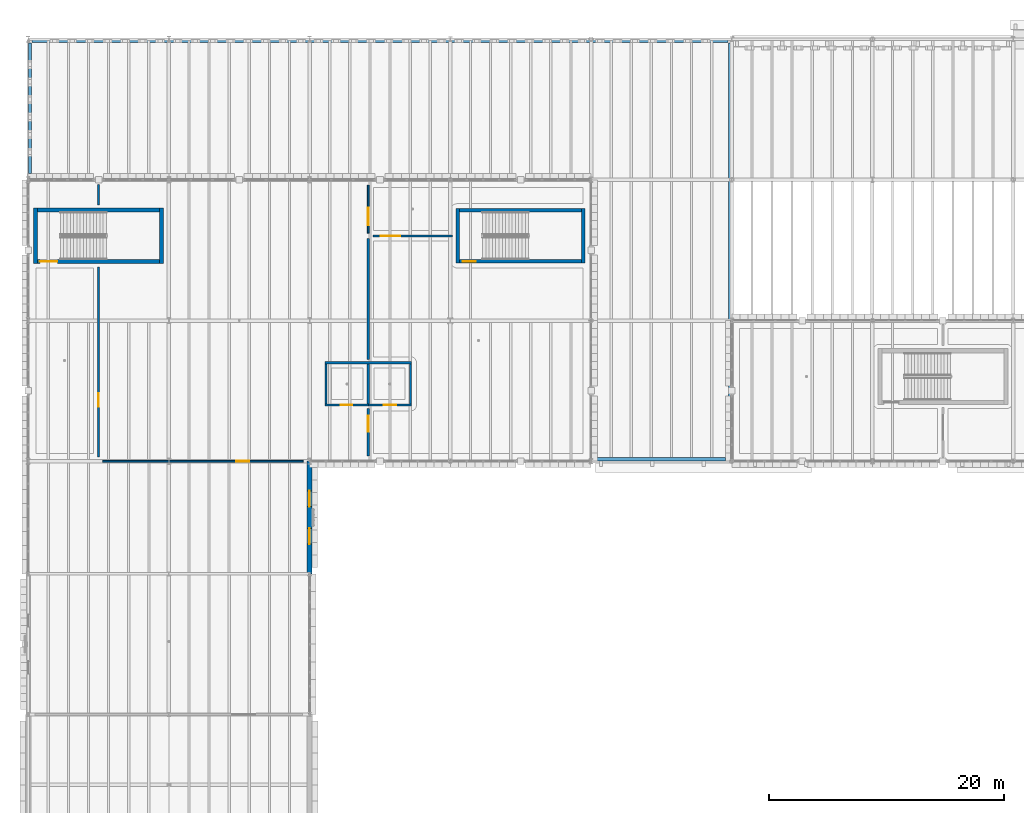
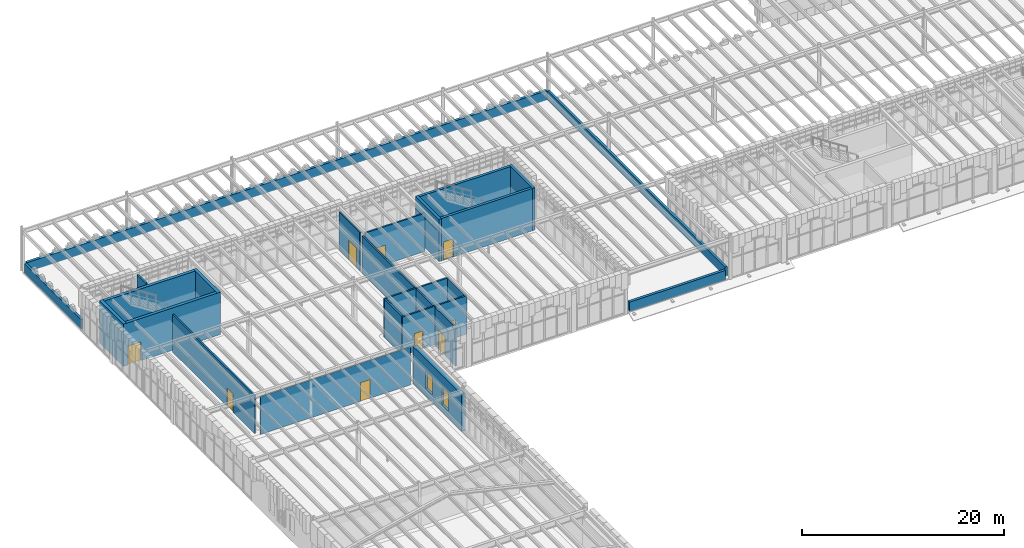
# One storey, part 58 of 100: 26 walls, 9 doors, 2 windows, 11 openings.
"""IFC4 building model written with IfcOpenShell, lengths in metres."""

from ifc_helpers import new_model, si_unit, direction, frame, frame_2d, origin, place, context, subcontext, project, spatial, rectangle, extrude, material, layer, layer_set, type_object, element, fill, save


model = new_model("IFC4")

# Units and contexts
model_context = context("Model", 3, precision=1e-05, world=origin(), true_north=direction((0.0, 1.0)))
body_context = subcontext(model_context, "Body", "Model", "MODEL_VIEW")
ifc_project = project(units=[si_unit("LENGTHUNIT", "METRE"), si_unit("AREAUNIT", "SQUARE_METRE"), si_unit("VOLUMEUNIT", "CUBIC_METRE"), si_unit("PLANEANGLEUNIT", "RADIAN"), si_unit("MASSUNIT", "GRAM", prefix="KILO")], contexts=[model_context])

# Site, building, storey
site_placement = place(None, origin())
site = spatial("IfcSite", under=ifc_project, at=site_placement, CompositionType="ELEMENT")
building_placement = place(site_placement, origin())
building = spatial("IfcBuilding", under=site, at=building_placement, Name="Zlatogorsky Bluff Art Gallery", CompositionType="ELEMENT")
storey_placement = place(building_placement, frame((0.0, 0.0, 5.39990234375)))
storey = spatial("IfcBuildingStorey", under=building, at=storey_placement, Name="L01", CompositionType="ELEMENT", Elevation=5.39990234375)

# Wall, openings, windows
ifc_material_1 = material(Name="Precast concrete C40/50", Category="concrete")
ifc_layer_1 = layer(ifc_material_1, 0.43994140625)
ifc_layer_set_1 = layer_set([ifc_layer_1], Name="Exterior Wall EW-03 440mm")
wall_type_1 = type_object("IfcWallType", Name="Exterior Wall EW-03 440mm", PredefinedType="SOLIDWALL", material=ifc_layer_set_1)
wall_1_placement = place(storey_placement, frame((24.0, 74.39990234375, 0.0), z_axis=(0.0, 0.0, 1.0), x_axis=(0.0, 1.0, 0.0)))
wall_1 = element("IfcWall", 1, at=wall_1_placement, inside=storey, type_object=wall_type_1, Name="Exterior wall EW-03 L01 E 1.7", PredefinedType="SOLIDWALL", context=body_context, shape_type="SweptSolid", body=[
    extrude(rectangle(XDim=9.60009765625, YDim=0.43994140625, at=frame_2d((4.800048828125, 0.0))), origin(), (0.0, 0.0, 1.0), 4.47998046875),
])
opening_1_placement = place(wall_1_placement, frame((2.52490234375, 0.0, 0.949951171875)))
opening_1 = element("IfcOpeningElement", 2, at=opening_1_placement, cuts=wall_1, Name="Opening WN-28", PredefinedType="OPENING", context=body_context, shape_type="SweptSolid", body=[
    extrude(rectangle(XDim=1.35009765625, YDim=2.10009765625, at=frame_2d((0.675048828125, 1.050048828125))), frame((0.0, 0.22998046875, 0.0), z_axis=(0.0, -1.0, 0.0), x_axis=(1.0, 0.0, 0.0)), (0.0, 0.0, 1.0), 0.4599609375),
])
opening_2_placement = place(wall_1_placement, frame((5.72509765625, 0.0, 0.949951171875)))
opening_2 = element("IfcOpeningElement", 3, at=opening_2_placement, cuts=wall_1, Name="Opening WN-28", PredefinedType="OPENING", context=body_context, shape_type="SweptSolid", body=[
    extrude(rectangle(XDim=1.35009765625, YDim=2.10009765625, at=frame_2d((0.675048828125, 1.050048828125))), frame((0.0, 0.22998046875, 0.0), z_axis=(0.0, -1.0, 0.0), x_axis=(1.0, 0.0, 0.0)), (0.0, 0.0, 1.0), 0.4599609375),
])
ifc_material_2 = material(Name="Bronze-Anodised Aluminium Triple Glazing", Category="aluminium")
window_type = type_object("IfcWindowType", Name="Pointed-Reveal Window WN-28 1350x2100", PartitioningType="SINGLE_PANEL", PredefinedType="WINDOW", material=ifc_material_2)
window_1_placement = place(opening_1_placement, origin())
window_1 = element("IfcWindow", 4, at=window_1_placement, inside=storey, type_object=window_type, Name="Window WN-28 L01.E.1.7.1", OverallHeight=2.10009765625, OverallWidth=1.35009765625, PartitioningType="SINGLE_PANEL", PredefinedType="WINDOW", context=body_context, shape_type="SweptSolid", body=[
    extrude(rectangle(XDim=1.35009765625, YDim=2.10009765625, at=frame_2d((0.675048828125, 1.050048828125))), frame((0.0, 0.030029296875, 0.0), z_axis=(0.0, -1.0, 0.0), x_axis=(1.0, 0.0, 0.0)), (0.0, 0.0, 1.0), 0.06005859375),
])
fill(opening_1, window_1)
window_2_placement = place(opening_2_placement, origin())
window_2 = element("IfcWindow", 5, at=window_2_placement, inside=storey, type_object=window_type, Name="Window WN-28 L01.E.1.7.2", OverallHeight=2.10009765625, OverallWidth=1.35009765625, PartitioningType="SINGLE_PANEL", PredefinedType="WINDOW", context=body_context, shape_type="SweptSolid", body=[
    extrude(rectangle(XDim=1.35009765625, YDim=2.10009765625, at=frame_2d((0.675048828125, 1.050048828125))), frame((0.0, 0.030029296875, 0.0), z_axis=(0.0, -1.0, 0.0), x_axis=(1.0, 0.0, 0.0)), (0.0, 0.0, 1.0), 0.06005859375),
])
fill(opening_2, window_2)

# Walls
ifc_layer_2 = layer(ifc_material_1, 0.260009765625)
ifc_layer_set_2 = layer_set([ifc_layer_2], Name="Exterior Wall PR-W1 260mm")
wall_type_2 = type_object("IfcWallType", Name="Exterior Wall PR-W1 260mm", PredefinedType="PARAPET", material=ifc_layer_set_2)
wall_2_placement = place(storey_placement, frame((0.159912109375, 108.52001953125, 0.0), z_axis=(0.0, 0.0, 1.0), x_axis=(0.0, 1.0, 0.0)))
element("IfcWall", 6, at=wall_2_placement, inside=storey, type_object=wall_type_2, Name="Sandstone roof parapet ROOF-FLAT-L01-01.3", PredefinedType="PARAPET", context=body_context, shape_type="SweptSolid", body=[
    extrude(rectangle(XDim=11.159912109375, YDim=0.260009765625, at=frame_2d((5.580078125, 0.0))), origin(), (0.0, 0.0, 1.0), 1.150146484375),
])
wall_3_placement = place(storey_placement, frame((59.840087890625, 119.679931640625, 0.0), z_axis=(0.0, 0.0, 1.0), x_axis=(0.0, -1.0, 0.0)))
element("IfcWall", 7, at=wall_3_placement, inside=storey, type_object=wall_type_2, Name="Sandstone roof parapet ROOF-FLAT-L01-01.5", PredefinedType="PARAPET", context=body_context, shape_type="SweptSolid", body=[
    extrude(rectangle(XDim=35.159912109375, YDim=0.260009765625, at=frame_2d((17.580078125, 0.0))), origin(), (0.0, 0.0, 1.0), 1.150146484375),
])
ifc_layer_3 = layer(ifc_material_1, 0.300048828125)
ifc_layer_set_3 = layer_set([ifc_layer_3], Name="Exterior Wall PR-W2 300mm")
wall_type_3 = type_object("IfcWallType", Name="Exterior Wall PR-W2 300mm", PredefinedType="PARAPET", material=ifc_layer_set_3)
wall_4_placement = place(storey_placement, frame((0.320068359375, 119.840087890625, 0.0), z_axis=(0.0, 0.0, 1.0), x_axis=(1.0, 0.0, 0.0)))
element("IfcWall", 8, at=wall_4_placement, inside=storey, type_object=wall_type_3, Name="Sandstone roof parapet ROOF-FLAT-L01-01.4", PredefinedType="PARAPET", context=body_context, shape_type="SweptSolid", body=[
    extrude(rectangle(XDim=59.35986328125, YDim=0.300048828125, at=frame_2d((29.679931640625, 0.0))), origin(), (0.0, 0.0, 1.0), 1.150146484375),
])
wall_5_placement = place(storey_placement, frame((59.47998046875, 84.159912109375, 0.0), z_axis=(0.0, 0.0, 1.0), x_axis=(-1.0, 0.0, 0.0)))
element("IfcWall", 9, at=wall_5_placement, inside=storey, type_object=wall_type_3, Name="Sandstone roof parapet ROOF-FLAT-L01-01.6", PredefinedType="PARAPET", context=body_context, shape_type="SweptSolid", body=[
    extrude(rectangle(XDim=10.9599609375, YDim=0.300048828125, at=frame_2d((5.47998046875, 0.0))), origin(), (0.0, 0.0, 1.0), 1.150146484375),
])

# Wall, opening, door
ifc_material_3 = material(Name="Concrete C30/37", Category="concrete")
ifc_layer_4 = layer(ifc_material_3, 0.14990234375)
ifc_layer_set_4 = layer_set([ifc_layer_4], Name="Interior Wall IW-01 150mm")
wall_type_4 = type_object("IfcWallType", Name="Interior Wall IW-01 150mm", PredefinedType="PARTITIONING", material=ifc_layer_set_4)
wall_6_placement = place(storey_placement, frame((6.33740234375, 84.0, 0.0), z_axis=(0.0, 0.0, 1.0), x_axis=(1.0, 0.0, 0.0)))
wall_6 = element("IfcWall", 10, at=wall_6_placement, inside=storey, type_object=wall_type_4, Name="Partition IW-01 between L01-E1 and L01-E2-12", PredefinedType="PARTITIONING", context=body_context, shape_type="SweptSolid", body=[
    extrude(rectangle(XDim=17.105224609375, YDim=0.14990234375, at=frame_2d((8.552734375, 0.0))), origin(), (0.0, 0.0, 1.0), 4.550048828125),
])
opening_3_placement = place(wall_6_placement, frame((11.424072265625, 0.0, 0.0)))
opening_3 = element("IfcOpeningElement", 11, at=opening_3_placement, cuts=wall_6, Name="Opening ID-05", PredefinedType="OPENING", context=body_context, shape_type="SweptSolid", body=[
    extrude(rectangle(XDim=1.10009765625, YDim=2.25, at=frame_2d((0.550048828125, 1.125))), frame((0.0, 0.0849609375, 0.0), z_axis=(0.0, -1.0, 0.0), x_axis=(1.0, 0.0, 0.0)), (0.0, 0.0, 1.0), 0.169921875),
])
ifc_material_4 = material(Name="Anodised Aluminium and Laminated Timber", Category="wood")
door_type_1 = type_object("IfcDoorType", Name="Interior Door ID-05 1100x2250", OperationType="SINGLE_SWING_LEFT", PredefinedType="DOOR", material=ifc_material_4)
door_1_placement = place(opening_3_placement, origin())
door_1 = element("IfcDoor", 12, at=door_1_placement, inside=storey, type_object=door_type_1, Name="Door ID-05 L01-E1-L01-E2-12", OperationType="SINGLE_SWING_LEFT", OverallHeight=2.25, OverallWidth=1.10009765625, PredefinedType="DOOR", context=body_context, shape_type="SweptSolid", body=[
    extrude(rectangle(XDim=1.10009765625, YDim=2.25, at=frame_2d((0.550048828125, 1.125))), frame((0.0, 0.02490234375, 0.0), z_axis=(0.0, -1.0, 0.0), x_axis=(1.0, 0.0, 0.0)), (0.0, 0.0, 1.0), 0.050048828125),
])
fill(opening_3, door_1)

wall_7_placement = place(storey_placement, frame((29.0, 103.4560546875, 0.0), z_axis=(0.0, 0.0, 1.0), x_axis=(0.0, 1.0, 0.0)))
wall_7 = element("IfcWall", 13, at=wall_7_placement, inside=storey, type_object=wall_type_4, Name="Partition IW-01 between L01-E2-12 and L01-E2-14", PredefinedType="PARTITIONING", context=body_context, shape_type="SweptSolid", body=[
    extrude(rectangle(XDim=4.093994140625, YDim=0.14990234375, at=frame_2d((2.046875, 0.0))), origin(), (0.0, 0.0, 1.0), 4.64013671875),
])
opening_4_placement = place(wall_7_placement, frame((0.64990234375, 0.0, 0.0)))
opening_4 = element("IfcOpeningElement", 14, at=opening_4_placement, cuts=wall_7, Name="Opening ID-09", PredefinedType="OPENING", context=body_context, shape_type="SweptSolid", body=[
    extrude(rectangle(XDim=1.5, YDim=2.35009765625, at=frame_2d((0.75, 1.175048828125))), frame((0.0, 0.0849609375, 0.0), z_axis=(0.0, -1.0, 0.0), x_axis=(1.0, 0.0, 0.0)), (0.0, 0.0, 1.0), 0.169921875),
])
door_type_2 = type_object("IfcDoorType", Name="Interior Door ID-09 1500x2350", OperationType="DOUBLE_DOOR_SINGLE_SWING", PredefinedType="DOOR", material=ifc_material_4)
door_2_placement = place(opening_4_placement, origin())
door_2 = element("IfcDoor", 15, at=door_2_placement, inside=storey, type_object=door_type_2, Name="Door ID-09 L01-E2-12-L01-E2-14", OperationType="DOUBLE_DOOR_SINGLE_SWING", OverallHeight=2.35009765625, OverallWidth=1.5, PredefinedType="DOOR", context=body_context, shape_type="SweptSolid", body=[
    extrude(rectangle(XDim=1.5, YDim=2.35009765625, at=frame_2d((0.75, 1.175048828125))), frame((0.0, 0.02490234375, 0.0), z_axis=(0.0, -1.0, 0.0), x_axis=(1.0, 0.0, 0.0)), (0.0, 0.0, 1.0), 0.050048828125),
])
fill(opening_4, door_2)

# Wall
ifc_layer_5 = layer(ifc_material_3, 0.179931640625)
ifc_layer_set_5 = layer_set([ifc_layer_5], Name="Interior Wall IW-02 180mm")
wall_type_5 = type_object("IfcWallType", Name="Interior Wall IW-02 180mm", PredefinedType="PARTITIONING", material=ifc_layer_set_5)
wall_8_placement = place(storey_placement, frame((25.31005859375, 92.39990234375, 0.0), z_axis=(0.0, 0.0, 1.0), x_axis=(1.0, 0.0, 0.0)))
element("IfcWall", 16, at=wall_8_placement, inside=storey, type_object=wall_type_5, Name="Restroom enclosure partition IW-L01-WC-N", PredefinedType="PARTITIONING", context=body_context, shape_type="SweptSolid", body=[
    extrude(rectangle(XDim=7.3798828125, YDim=0.179931640625, at=frame_2d((3.68994140625, 0.0))), origin(), (0.0, 0.0, 1.0), 4.64013671875),
])

# Wall, opening, door
wall_9_placement = place(storey_placement, frame((25.31005859375, 88.800048828125, 0.0), z_axis=(0.0, 0.0, 1.0), x_axis=(1.0, 0.0, 0.0)))
wall_9 = element("IfcWall", 17, at=wall_9_placement, inside=storey, type_object=wall_type_5, Name="Restroom enclosure partition IW-L01-WC-S1", PredefinedType="PARTITIONING", context=body_context, shape_type="SweptSolid", body=[
    extrude(rectangle(XDim=3.68994140625, YDim=0.179931640625, at=frame_2d((1.844970703125, 0.0))), origin(), (0.0, 0.0, 1.0), 4.64013671875),
])
opening_5_placement = place(wall_9_placement, frame((1.364990234375, 0.0, 0.0)))
opening_5 = element("IfcOpeningElement", 18, at=opening_5_placement, cuts=wall_9, Name="Opening ID-02", PredefinedType="OPENING", context=body_context, shape_type="SweptSolid", body=[
    extrude(rectangle(XDim=0.9599609375, YDim=2.14990234375, at=frame_2d((0.47998046875, 1.074951171875))), frame((0.0, 0.099853515625, 0.0), z_axis=(0.0, -1.0, 0.0), x_axis=(1.0, 0.0, 0.0)), (0.0, 0.0, 1.0), 0.199951171875),
])
door_type_3 = type_object("IfcDoorType", Name="Interior Door ID-02 960x2150", OperationType="SINGLE_SWING_LEFT", PredefinedType="DOOR", material=ifc_material_4)
door_3_placement = place(opening_5_placement, origin())
door_3 = element("IfcDoor", 19, at=door_3_placement, inside=storey, type_object=door_type_3, Name="Door ID-02 L01-WC", OperationType="SINGLE_SWING_LEFT", OverallHeight=2.14990234375, OverallWidth=0.9599609375, PredefinedType="DOOR", context=body_context, shape_type="SweptSolid", body=[
    extrude(rectangle(XDim=0.9599609375, YDim=2.14990234375, at=frame_2d((0.47998046875, 1.074951171875))), frame((0.0, 0.02490234375, 0.0), z_axis=(0.0, -1.0, 0.0), x_axis=(1.0, 0.0, 0.0)), (0.0, 0.0, 1.0), 0.050048828125),
])
fill(opening_5, door_3)

wall_10_placement = place(storey_placement, frame((29.0, 88.800048828125, 0.0), z_axis=(0.0, 0.0, 1.0), x_axis=(1.0, 0.0, 0.0)))
wall_10 = element("IfcWall", 20, at=wall_10_placement, inside=storey, type_object=wall_type_5, Name="Restroom enclosure partition IW-L01-WC-S2", PredefinedType="PARTITIONING", context=body_context, shape_type="SweptSolid", body=[
    extrude(rectangle(XDim=3.68994140625, YDim=0.179931640625, at=frame_2d((1.844970703125, 0.0))), origin(), (0.0, 0.0, 1.0), 4.64013671875),
])
opening_6_placement = place(wall_10_placement, frame((1.320068359375, 0.0, 0.0)))
opening_6 = element("IfcOpeningElement", 21, at=opening_6_placement, cuts=wall_10, Name="Opening ID-04", PredefinedType="OPENING", context=body_context, shape_type="SweptSolid", body=[
    extrude(rectangle(XDim=1.050048828125, YDim=2.199951171875, at=frame_2d((0.52490234375, 1.10009765625))), frame((0.0, 0.099853515625, 0.0), z_axis=(0.0, -1.0, 0.0), x_axis=(1.0, 0.0, 0.0)), (0.0, 0.0, 1.0), 0.199951171875),
])
door_type_4 = type_object("IfcDoorType", Name="Interior Door ID-04 1050x2200", OperationType="SINGLE_SWING_LEFT", PredefinedType="DOOR", material=ifc_material_4)
door_4_placement = place(opening_6_placement, origin())
door_4 = element("IfcDoor", 22, at=door_4_placement, inside=storey, type_object=door_type_4, Name="Door ID-04 L01-AWC", OperationType="SINGLE_SWING_RIGHT", OverallHeight=2.199951171875, OverallWidth=1.050048828125, PredefinedType="DOOR", context=body_context, shape_type="SweptSolid", body=[
    extrude(rectangle(XDim=1.050048828125, YDim=2.199951171875, at=frame_2d((0.52490234375, 1.10009765625))), frame((0.0, 0.02490234375, 0.0), z_axis=(0.0, -1.0, 0.0), x_axis=(1.0, 0.0, 0.0)), (0.0, 0.0, 1.0), 0.050048828125),
])
fill(opening_6, door_4)

# Walls
for number, where, z_axis, x_axis, name in (
    (23, (25.39990234375, 88.89990234375, 0.0), (0.0, 0.0, 1.0), (0.0, 1.0, 0.0), "Restroom enclosure partition IW-L01-WC-W"),
    (24, (32.60009765625, 88.89990234375, 0.0), (0.0, 0.0, 1.0), (0.0, 1.0, 0.0), "Restroom enclosure partition IW-L01-WC-E"),
    (25, (29.0, 88.89990234375, 0.0), (0.0, 0.0, 1.0), (0.0, 1.0, 0.0), "Restroom enclosure partition IW-L01-WC-M"),
):
    element("IfcWall", number, at=place(storey_placement, frame(where, z_axis=z_axis, x_axis=x_axis)), inside=storey, type_object=wall_type_5, Name=name, PredefinedType="PARTITIONING", context=body_context, shape_type="SweptSolid", body=[
        extrude(rectangle(XDim=3.400146484375, YDim=0.179931640625, at=frame_2d((1.7001953125, 0.0))), origin(), (0.0, 0.0, 1.0), 4.64013671875),
    ])

# Wall, opening, door
wall_11_placement = place(storey_placement, frame((6.0, 84.3798828125, 0.0), z_axis=(0.0, 0.0, 1.0), x_axis=(0.0, 1.0, 0.0)))
wall_11 = element("IfcWall", 26, at=wall_11_placement, inside=storey, type_object=wall_type_5, Name="Partition IW-02 between L01-E2-11 and L01-E2-12-S1", PredefinedType="PARTITIONING", context=body_context, shape_type="SweptSolid", body=[
    extrude(rectangle(XDim=16.2001953125, YDim=0.179931640625, at=frame_2d((8.10009765625, 0.0))), origin(), (0.0, 0.0, 1.0), 4.550048828125),
])
opening_7_placement = place(wall_11_placement, frame((4.284912109375, 0.0, 0.0)))
opening_7 = element("IfcOpeningElement", 27, at=opening_7_placement, cuts=wall_11, Name="Opening ID-06", PredefinedType="OPENING", context=body_context, shape_type="SweptSolid", body=[
    extrude(rectangle(XDim=1.14990234375, YDim=2.25, at=frame_2d((0.574951171875, 1.125))), frame((0.0, 0.099853515625, 0.0), z_axis=(0.0, -1.0, 0.0), x_axis=(1.0, 0.0, 0.0)), (0.0, 0.0, 1.0), 0.199951171875),
])
door_type_5 = type_object("IfcDoorType", Name="Interior Door ID-06 1150x2250", OperationType="SINGLE_SWING_LEFT", PredefinedType="DOOR", material=ifc_material_4)
door_5_placement = place(opening_7_placement, origin())
door_5 = element("IfcDoor", 28, at=door_5_placement, inside=storey, type_object=door_type_5, Name="Door ID-06 L01-E2-11-L01-E2-12-S1", OperationType="SINGLE_SWING_RIGHT", OverallHeight=2.25, OverallWidth=1.14990234375, PredefinedType="DOOR", context=body_context, shape_type="SweptSolid", body=[
    extrude(rectangle(XDim=1.14990234375, YDim=2.25, at=frame_2d((0.574951171875, 1.125))), frame((0.0, 0.02490234375, 0.0), z_axis=(0.0, -1.0, 0.0), x_axis=(1.0, 0.0, 0.0)), (0.0, 0.0, 1.0), 0.050048828125),
])
fill(opening_7, door_5)

# Wall
wall_12_placement = place(storey_placement, frame((6.0, 105.8701171875, 0.0), z_axis=(0.0, 0.0, 1.0), x_axis=(0.0, 1.0, 0.0)))
element("IfcWall", 29, at=wall_12_placement, inside=storey, type_object=wall_type_5, Name="Partition IW-02 between L01-E2-11 and L01-E2-12-S2", PredefinedType="PARTITIONING", context=body_context, shape_type="SweptSolid", body=[
    extrude(rectangle(XDim=1.75, YDim=0.179931640625, at=frame_2d((0.875, 0.0))), origin(), (0.0, 0.0, 1.0), 5.090087890625),
])

# Wall, opening, door
wall_13_placement = place(storey_placement, frame((29.0, 84.449951171875, 0.0), z_axis=(0.0, 0.0, 1.0), x_axis=(0.0, 1.0, 0.0)))
wall_13 = element("IfcWall", 30, at=wall_13_placement, inside=storey, type_object=wall_type_5, Name="Partition IW-02 between L01-E2-12 and L01-E2-13-S1", PredefinedType="PARTITIONING", context=body_context, shape_type="SweptSolid", body=[
    extrude(rectangle(XDim=4.069091796875, YDim=0.179931640625, at=frame_2d((2.03466796875, 0.0))), origin(), (0.0, 0.0, 1.0), 4.64013671875),
])
opening_8_placement = place(wall_13_placement, frame((2.069091796875, 0.0, 0.0)))
opening_8 = element("IfcOpeningElement", 31, at=opening_8_placement, cuts=wall_13, Name="Opening ID-08", PredefinedType="OPENING", context=body_context, shape_type="SweptSolid", body=[
    extrude(rectangle(XDim=1.35009765625, YDim=2.300048828125, at=frame_2d((0.675048828125, 1.14990234375))), frame((0.0, 0.099853515625, 0.0), z_axis=(0.0, -1.0, 0.0), x_axis=(1.0, 0.0, 0.0)), (0.0, 0.0, 1.0), 0.199951171875),
])
door_type_6 = type_object("IfcDoorType", Name="Interior Door ID-08 1350x2300", OperationType="DOUBLE_SWING_LEFT", PredefinedType="DOOR", material=ifc_material_4)
door_6_placement = place(opening_8_placement, origin())
door_6 = element("IfcDoor", 32, at=door_6_placement, inside=storey, type_object=door_type_6, Name="Door ID-08 L01-E2-12-L01-E2-13-S1", OperationType="DOUBLE_SWING_LEFT", OverallHeight=2.300048828125, OverallWidth=1.35009765625, PredefinedType="DOOR", context=body_context, shape_type="SweptSolid", body=[
    extrude(rectangle(XDim=1.35009765625, YDim=2.300048828125, at=frame_2d((0.675048828125, 1.14990234375))), frame((0.0, 0.02490234375, 0.0), z_axis=(0.0, -1.0, 0.0), x_axis=(1.0, 0.0, 0.0)), (0.0, 0.0, 1.0), 0.050048828125),
])
fill(opening_8, door_6)

# Wall
wall_14_placement = place(storey_placement, frame((29.0, 92.680908203125, 0.0), z_axis=(0.0, 0.0, 1.0), x_axis=(0.0, 1.0, 0.0)))
element("IfcWall", 33, at=wall_14_placement, inside=storey, type_object=wall_type_5, Name="Partition IW-02 between L01-E2-12 and L01-E2-13-S2", PredefinedType="PARTITIONING", context=body_context, shape_type="SweptSolid", body=[
    extrude(rectangle(XDim=10.31298828125, YDim=0.179931640625, at=frame_2d((5.156494140625, 0.0))), origin(), (0.0, 0.0, 1.0), 4.550048828125),
])

# Wall, opening, door
wall_15_placement = place(storey_placement, frame((29.419921875, 103.22509765625, 0.0), z_axis=(0.0, 0.0, 1.0), x_axis=(1.0, 0.0, 0.0)))
wall_15 = element("IfcWall", 34, at=wall_15_placement, inside=storey, type_object=wall_type_5, Name="Partition IW-02 between L01-E2-13 and L01-E2-14", PredefinedType="PARTITIONING", context=body_context, shape_type="SweptSolid", body=[
    extrude(rectangle(XDim=6.760009765625, YDim=0.179931640625, at=frame_2d((3.3798828125, 0.0))), origin(), (0.0, 0.0, 1.0), 4.60009765625),
])
opening_9_placement = place(wall_15_placement, frame((0.64990234375, 0.0, 0.0)))
opening_9 = element("IfcOpeningElement", 35, at=opening_9_placement, cuts=wall_15, Name="Opening ID-10", PredefinedType="OPENING", context=body_context, shape_type="SweptSolid", body=[
    extrude(rectangle(XDim=1.64990234375, YDim=2.35009765625, at=frame_2d((0.824951171875, 1.175048828125))), frame((0.0, 0.099853515625, 0.0), z_axis=(0.0, -1.0, 0.0), x_axis=(1.0, 0.0, 0.0)), (0.0, 0.0, 1.0), 0.199951171875),
])
door_type_7 = type_object("IfcDoorType", Name="Interior Door ID-10 1650x2350", OperationType="DOUBLE_DOOR_SINGLE_SWING", PredefinedType="DOOR", material=ifc_material_4)
door_7_placement = place(opening_9_placement, origin())
door_7 = element("IfcDoor", 36, at=door_7_placement, inside=storey, type_object=door_type_7, Name="Door ID-10 L01-E2-13-L01-E2-14", OperationType="DOUBLE_DOOR_SINGLE_SWING", OverallHeight=2.35009765625, OverallWidth=1.64990234375, PredefinedType="DOOR", context=body_context, shape_type="SweptSolid", body=[
    extrude(rectangle(XDim=1.64990234375, YDim=2.35009765625, at=frame_2d((0.824951171875, 1.175048828125))), frame((0.0, 0.02490234375, 0.0), z_axis=(0.0, -1.0, 0.0), x_axis=(1.0, 0.0, 0.0)), (0.0, 0.0, 1.0), 0.050048828125),
])
fill(opening_9, door_7)

ifc_material_5 = material(Name="Concrete C35/45", Category="concrete")
ifc_layer_6 = layer(ifc_material_5, 0.300048828125)
ifc_layer_set_6 = layer_set([ifc_layer_6], Name="Interior Wall SW-01 300mm")
wall_type_6 = type_object("IfcWallType", Name="Interior Wall SW-01 300mm", PredefinedType="SHEAR", material=ifc_layer_set_6)
wall_16_placement = place(storey_placement, frame((36.5, 101.050048828125, 0.0), z_axis=(0.0, 0.0, 1.0), x_axis=(1.0, 0.0, 0.0)))
wall_16 = element("IfcWall", 37, at=wall_16_placement, inside=storey, type_object=wall_type_6, Name="Stair ST-07 enclosure wall L01 W0", PredefinedType="SHEAR", context=body_context, shape_type="SweptSolid", body=[
    extrude(rectangle(XDim=11.0, YDim=0.300048828125, at=frame_2d((5.5, 0.0))), origin(), (0.0, 0.0, 1.0), 5.110107421875),
])
opening_10_placement = place(wall_16_placement, frame((0.550048828125, 0.0, 0.0)))
opening_10 = element("IfcOpeningElement", 38, at=opening_10_placement, cuts=wall_16, Name="Opening FD-01", PredefinedType="OPENING", context=body_context, shape_type="SweptSolid", body=[
    extrude(rectangle(XDim=1.1201171875, YDim=2.199951171875, at=frame_2d((0.56005859375, 1.10009765625))), frame((0.0, 0.159912109375, 0.0), z_axis=(0.0, -1.0, 0.0), x_axis=(1.0, 0.0, 0.0)), (0.0, 0.0, 1.0), 0.320068359375),
])
door_type_8 = type_object("IfcDoorType", Name="Interior Door FD-01 1120x2200", OperationType="SINGLE_SWING_LEFT", PredefinedType="DOOR", material=ifc_material_4)
door_8_placement = place(opening_10_placement, origin())
door_8 = element("IfcDoor", 39, at=door_8_placement, inside=storey, type_object=door_type_8, Name="Stair ST-07 fire door L01", OperationType="SINGLE_SWING_RIGHT", OverallHeight=2.199951171875, OverallWidth=1.1201171875, PredefinedType="DOOR", context=body_context, shape_type="SweptSolid", body=[
    extrude(rectangle(XDim=1.1201171875, YDim=2.199951171875, at=frame_2d((0.56005859375, 1.10009765625))), frame((0.0, 0.02490234375, 0.0), z_axis=(0.0, -1.0, 0.0), x_axis=(1.0, 0.0, 0.0)), (0.0, 0.0, 1.0), 0.050048828125),
])
fill(opening_10, door_8)

# Walls
wall_17_placement = place(storey_placement, frame((47.35009765625, 100.89990234375, 0.0), z_axis=(0.0, 0.0, 1.0), x_axis=(0.0, 1.0, 0.0)))
element("IfcWall", 40, at=wall_17_placement, inside=storey, type_object=wall_type_6, Name="Stair ST-07 enclosure wall L01 FEND", PredefinedType="SHEAR", context=body_context, shape_type="SweptSolid", body=[
    extrude(rectangle(XDim=4.650146484375, YDim=0.300048828125, at=frame_2d((2.3251953125, 0.0))), origin(), (0.0, 0.0, 1.0), 5.110107421875),
])
wall_18_placement = place(storey_placement, frame((47.5, 105.39990234375, 0.0), z_axis=(0.0, 0.0, 1.0), x_axis=(-1.0, 0.0, 0.0)))
element("IfcWall", 41, at=wall_18_placement, inside=storey, type_object=wall_type_6, Name="Stair ST-07 enclosure wall L01 W1", PredefinedType="SHEAR", context=body_context, shape_type="SweptSolid", body=[
    extrude(rectangle(XDim=11.0, YDim=0.300048828125, at=frame_2d((5.5, 0.0))), origin(), (0.0, 0.0, 1.0), 5.110107421875),
])
wall_19_placement = place(storey_placement, frame((36.64990234375, 105.550048828125, 0.0), z_axis=(0.0, 0.0, 1.0), x_axis=(0.0, -1.0, 0.0)))
element("IfcWall", 42, at=wall_19_placement, inside=storey, type_object=wall_type_6, Name="Stair ST-07 enclosure wall L01 LEND", PredefinedType="SHEAR", context=body_context, shape_type="SweptSolid", body=[
    extrude(rectangle(XDim=4.650146484375, YDim=0.300048828125, at=frame_2d((2.3251953125, 0.0))), origin(), (0.0, 0.0, 1.0), 5.110107421875),
])

# Wall, opening, door
ifc_layer_7 = layer(ifc_material_5, 0.35009765625)
ifc_layer_set_7 = layer_set([ifc_layer_7], Name="Interior Wall SW-02 350mm")
wall_type_7 = type_object("IfcWallType", Name="Interior Wall SW-02 350mm", PredefinedType="SHEAR", material=ifc_layer_set_7)
wall_20_placement = place(storey_placement, frame((0.449951171875, 101.02490234375, 0.0), z_axis=(0.0, 0.0, 1.0), x_axis=(1.0, 0.0, 0.0)))
wall_20 = element("IfcWall", 43, at=wall_20_placement, inside=storey, type_object=wall_type_7, Name="Stair ST-05 enclosure wall L01 W0", PredefinedType="SHEAR", context=body_context, shape_type="SweptSolid", body=[
    extrude(rectangle(XDim=11.10009765625, YDim=0.35009765625, at=frame_2d((5.550048828125, 0.0))), origin(), (0.0, 0.0, 1.0), 5.110107421875),
])
opening_11_placement = place(wall_20_placement, frame((0.550048828125, 0.0, 0.0)))
opening_11 = element("IfcOpeningElement", 44, at=opening_11_placement, cuts=wall_20, Name="Opening FD-03", PredefinedType="OPENING", context=body_context, shape_type="SweptSolid", body=[
    extrude(rectangle(XDim=1.47998046875, YDim=2.300048828125, at=frame_2d((0.739990234375, 1.14990234375))), frame((0.0, 0.18505859375, 0.0), z_axis=(0.0, -1.0, 0.0), x_axis=(1.0, 0.0, 0.0)), (0.0, 0.0, 1.0), 0.3701171875),
])
door_type_9 = type_object("IfcDoorType", Name="Interior Door FD-03 1480x2300", OperationType="DOUBLE_DOOR_SINGLE_SWING", PredefinedType="DOOR", material=ifc_material_4)
door_9_placement = place(opening_11_placement, origin())
door_9 = element("IfcDoor", 45, at=door_9_placement, inside=storey, type_object=door_type_9, Name="Stair ST-05 fire door L01", OperationType="DOUBLE_DOOR_SINGLE_SWING", OverallHeight=2.300048828125, OverallWidth=1.47998046875, PredefinedType="DOOR", context=body_context, shape_type="SweptSolid", body=[
    extrude(rectangle(XDim=1.47998046875, YDim=2.300048828125, at=frame_2d((0.739990234375, 1.14990234375))), frame((0.0, 0.02490234375, 0.0), z_axis=(0.0, -1.0, 0.0), x_axis=(1.0, 0.0, 0.0)), (0.0, 0.0, 1.0), 0.050048828125),
])
fill(opening_11, door_9)

# Walls
wall_21_placement = place(storey_placement, frame((11.375, 100.85009765625, 0.0), z_axis=(0.0, 0.0, 1.0), x_axis=(0.0, 1.0, 0.0)))
element("IfcWall", 46, at=wall_21_placement, inside=storey, type_object=wall_type_7, Name="Stair ST-05 enclosure wall L01 FEND", PredefinedType="SHEAR", context=body_context, shape_type="SweptSolid", body=[
    extrude(rectangle(XDim=4.75, YDim=0.35009765625, at=frame_2d((2.375, 0.0))), origin(), (0.0, 0.0, 1.0), 5.110107421875),
])
wall_22_placement = place(storey_placement, frame((11.550048828125, 105.425048828125, 0.0), z_axis=(0.0, 0.0, 1.0), x_axis=(-1.0, 0.0, 0.0)))
element("IfcWall", 47, at=wall_22_placement, inside=storey, type_object=wall_type_7, Name="Stair ST-05 enclosure wall L01 W1", PredefinedType="SHEAR", context=body_context, shape_type="SweptSolid", body=[
    extrude(rectangle(XDim=11.10009765625, YDim=0.35009765625, at=frame_2d((5.550048828125, 0.0))), origin(), (0.0, 0.0, 1.0), 5.110107421875),
])
wall_23_placement = place(storey_placement, frame((0.625, 105.60009765625, 0.0), z_axis=(0.0, 0.0, 1.0), x_axis=(0.0, -1.0, 0.0)))
element("IfcWall", 48, at=wall_23_placement, inside=storey, type_object=wall_type_7, Name="Stair ST-05 enclosure wall L01 LEND", PredefinedType="SHEAR", context=body_context, shape_type="SweptSolid", body=[
    extrude(rectangle(XDim=4.75, YDim=0.35009765625, at=frame_2d((2.375, 0.0))), origin(), (0.0, 0.0, 1.0), 5.110107421875),
])

save(model, "model.ifc")
